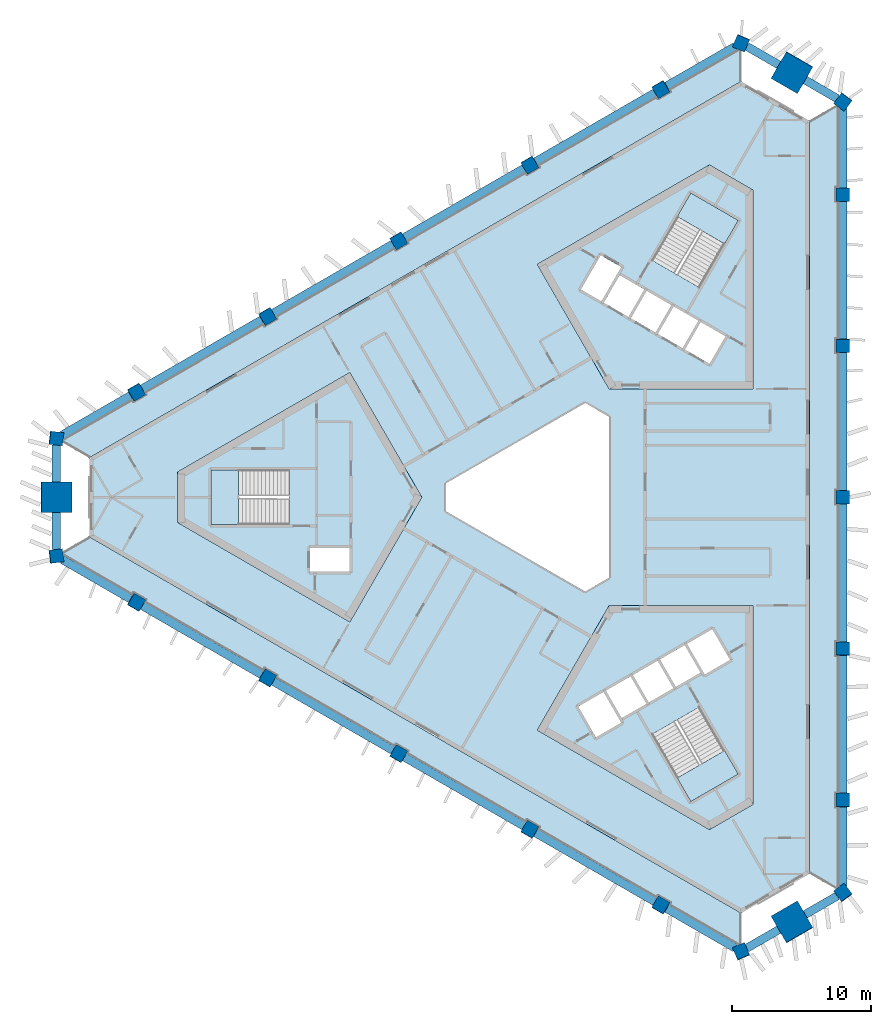
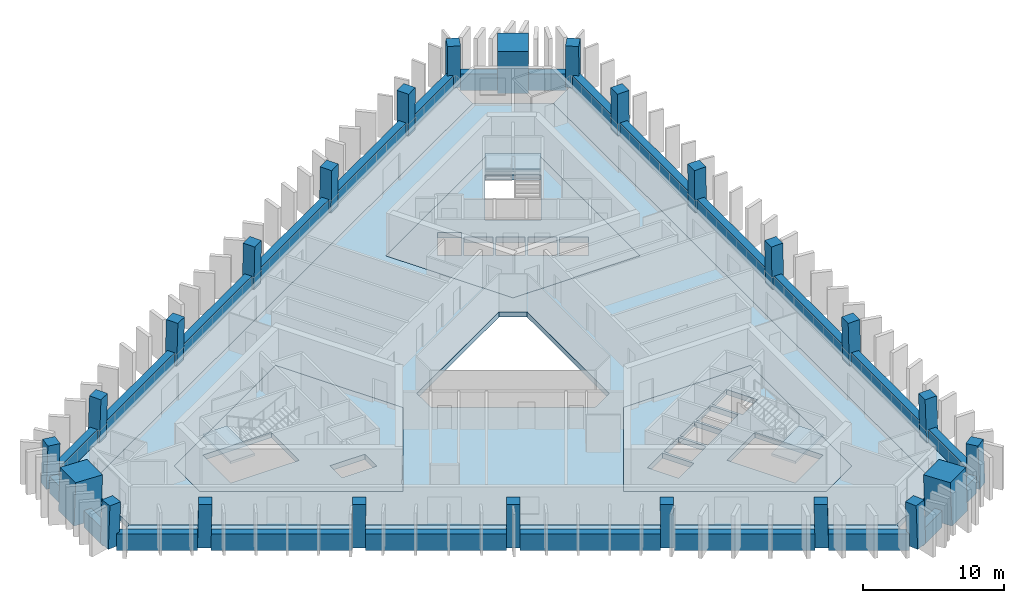
# One storey, part 1 of 10: 24 beams, 24 columns, 10 slabs, 3 elements without a shape of their own.
"""IFC4 building model written with IfcOpenShell, lengths in metres."""

from ifc_helpers import new_model, si_unit, direction, frame, origin, origin_2d, place, context, subcontext, project, spatial, polyline, rectangle, outline, extrude, material, layer, layer_set, material_profile, profile_set, type_object, element, aggregate, save


model = new_model("IFC4")

# Units and contexts
model_context = context("Model", 3, precision=1e-05, world=origin(), true_north=direction((0.0, 1.0)))
body_context = subcontext(model_context, "Body", "Model", "MODEL_VIEW")
ifc_project = project(units=[si_unit("LENGTHUNIT", "METRE"), si_unit("AREAUNIT", "SQUARE_METRE"), si_unit("VOLUMEUNIT", "CUBIC_METRE"), si_unit("PLANEANGLEUNIT", "RADIAN"), si_unit("MASSUNIT", "GRAM", prefix="KILO")], contexts=[model_context])

# Site, building, storey
site_placement = place(None, origin())
site = spatial("IfcSite", under=ifc_project, at=site_placement, CompositionType="ELEMENT")
building_placement = place(site_placement, origin())
building = spatial("IfcBuilding", under=site, at=building_placement, Name="Jabali Bay Hotel Tower and Convention Centre", CompositionType="ELEMENT")
storey_placement = place(building_placement, frame((0.0, 0.0, 163.699951171875)))
storey = spatial("IfcBuildingStorey", under=building, at=storey_placement, Name="L39", CompositionType="ELEMENT", Elevation=163.699951171875)

# Columns
ifc_material_1 = material(Name="Concrete C60", Category="concrete")
ifc_material_profile_1 = material_profile(ifc_material_1, rectangle(XDim=0.949951171875, YDim=0.949951171875, at=origin_2d()), Name="Frame column 950")
ifc_profile_set_1 = profile_set([ifc_material_profile_1], Name="Concrete C60")
column_type_1 = type_object("IfcColumnType", Name="Frame column 950", PredefinedType="COLUMN", material=ifc_profile_set_1)
column_1_placement = place(storey_placement, frame((83.228515625, 109.404541015625, 0.0), z_axis=(-0.008376454378, -0.028163354484, 0.999568237028), x_axis=(0.86585218107, 0.499844611273, 0.021339285781)))
element("IfcColumn", 1, at=column_1_placement, inside=storey, type_object=column_type_1, Name="FC4 F1.1 L39", PredefinedType="COLUMN", context=body_context, shape_type="SweptSolid", body=[
    extrude(rectangle(XDim=0.949951171875, YDim=0.949951171875, at=origin_2d()), origin(), (0.0, 0.0, 1.0), 3.70166015625),
])
column_2_placement = place(storey_placement, frame((73.776611328125, 103.947265625, 0.0), z_axis=(0.000857580205, -0.022758859284, 0.9997406158), x_axis=(0.866006049772, 0.499920354613, 0.010637706611)))
element("IfcColumn", 2, at=column_2_placement, inside=storey, type_object=column_type_1, Name="FC4 F1.2 L39", PredefinedType="COLUMN", context=body_context, shape_type="SweptSolid", body=[
    extrude(rectangle(XDim=0.949951171875, YDim=0.949951171875, at=origin_2d()), origin(), (0.0, 0.0, 1.0), 3.700927734375),
])
column_3_placement = place(storey_placement, frame((64.32470703125, 98.490234375, 0.0), z_axis=(0.010093620709, -0.017482414954, 0.999796221231), x_axis=(0.866020200589, 0.50000901209, 8.5616e-08)))
element("IfcColumn", 3, at=column_3_placement, inside=storey, type_object=column_type_1, Name="FC4 F1.3 L39", PredefinedType="COLUMN", context=body_context, shape_type="SweptSolid", body=[
    extrude(rectangle(XDim=0.949951171875, YDim=0.949951171875, at=origin_2d()), origin(), (0.0, 0.0, 1.0), 3.70068359375),
])
column_4_placement = place(storey_placement, frame((54.87255859375, 93.033203125, 0.0), z_axis=(0.019328516974, -0.012138044789, 0.999739504221), x_axis=(-0.500205614953, 0.865671455024, 0.020181048691)))
element("IfcColumn", 4, at=column_4_placement, inside=storey, type_object=column_type_1, Name="FC4 F1.4 L39", PredefinedType="COLUMN", context=body_context, shape_type="SweptSolid", body=[
    extrude(rectangle(XDim=0.949951171875, YDim=0.949951171875, at=origin_2d()), origin(), (0.0, 0.0, 1.0), 3.700927734375),
])
for number, where, z_axis, x_axis, name in (
    (5, (45.420654296875, 87.576171875, 0.0), (0.028559101991, -0.006859460986, 0.999568569678), (-0.49850746064, 0.866650252321, 0.020190389752), "FC4 F1.5 L39"),
    (6, (45.420654296875, 72.423828125, 0.0), (0.028559101991, 0.006859460986, 0.999568569678), (-0.866414848315, 0.498869008806, 0.021331260469), "FC4 F2.1 L39"),
):
    element("IfcColumn", number, at=place(storey_placement, frame(where, z_axis=z_axis, x_axis=x_axis)), inside=storey, type_object=column_type_1, Name=name, PredefinedType="COLUMN", context=body_context, shape_type="SweptSolid", body=[
        extrude(rectangle(XDim=0.949951171875, YDim=0.949951171875, at=origin_2d()), origin(), (0.0, 0.0, 1.0), 3.70166015625),
    ])
column_5_placement = place(storey_placement, frame((54.87255859375, 66.966796875, 0.0), z_axis=(0.019328516974, 0.012138044789, 0.999739504221), x_axis=(-0.865690909737, 0.500465383244, 0.010660627254)))
element("IfcColumn", 7, at=column_5_placement, inside=storey, type_object=column_type_1, Name="FC4 F2.2 L39", PredefinedType="COLUMN", context=body_context, shape_type="SweptSolid", body=[
    extrude(rectangle(XDim=0.949951171875, YDim=0.949951171875, at=origin_2d()), origin(), (0.0, 0.0, 1.0), 3.700927734375),
])
column_6_placement = place(storey_placement, frame((64.32470703125, 61.509765625, 0.0), z_axis=(0.010093620709, 0.017482414954, 0.999796221231), x_axis=(-0.499907122366, -0.865843723195, 0.020187025824)))
element("IfcColumn", 8, at=column_6_placement, inside=storey, type_object=column_type_1, Name="FC4 F2.3 L39", PredefinedType="COLUMN", context=body_context, shape_type="SweptSolid", body=[
    extrude(rectangle(XDim=0.949951171875, YDim=0.949951171875, at=origin_2d()), origin(), (0.0, 0.0, 1.0), 3.70068359375),
])
column_7_placement = place(storey_placement, frame((73.776611328125, 56.052734375, 0.0), z_axis=(0.000857580205, 0.022758859284, 0.9997406158), x_axis=(-0.500032785239, -0.865772298799, 0.020138031626)))
element("IfcColumn", 9, at=column_7_placement, inside=storey, type_object=column_type_1, Name="FC4 F2.4 L39", PredefinedType="COLUMN", context=body_context, shape_type="SweptSolid", body=[
    extrude(rectangle(XDim=0.949951171875, YDim=0.949951171875, at=origin_2d()), origin(), (0.0, 0.0, 1.0), 3.700927734375),
])
for number, where, z_axis, x_axis, name in (
    (10, (83.228515625, 50.595458984375, 0.0), (-0.008376454378, 0.028163354484, 0.999568237028), (-0.500229782748, -0.865657085713, 0.020198376324), "FC4 F2.5 L39"),
    (11, (96.350830078125, 58.171630859375, 0.0), (-0.020182659751, 0.021303918626, 0.999569308901), (0.000228267203, -0.99977282903, 0.021312865295), "FC4 F0.1 L39"),
):
    element("IfcColumn", number, at=place(storey_placement, frame(where, z_axis=z_axis, x_axis=x_axis)), inside=storey, type_object=column_type_1, Name=name, PredefinedType="COLUMN", context=body_context, shape_type="SweptSolid", body=[
        extrude(rectangle(XDim=0.949951171875, YDim=0.949951171875, at=origin_2d()), origin(), (0.0, 0.0, 1.0), 3.70166015625),
    ])
column_8_placement = place(storey_placement, frame((96.350830078125, 69.085693359375, 0.0), z_axis=(-0.020186088539, 0.010686752756, 0.999739123544), x_axis=(-0.001023376713, -0.999942568771, 0.010668264128)))
element("IfcColumn", 12, at=column_8_placement, inside=storey, type_object=column_type_1, Name="FC4 F0.2 L39", PredefinedType="COLUMN", context=body_context, shape_type="SweptSolid", body=[
    extrude(rectangle(XDim=0.949951171875, YDim=0.949951171875, at=origin_2d()), origin(), (0.0, 0.0, 1.0), 3.700927734375),
])
column_9_placement = place(storey_placement, frame((96.350830078125, 80.0, 0.0), z_axis=(-0.020187241331, 0.0, 0.99979621688), x_axis=(0.0, -1.0, 0.0)))
element("IfcColumn", 13, at=column_9_placement, inside=storey, type_object=column_type_1, Name="FC4 F0.3 L39", PredefinedType="COLUMN", context=body_context, shape_type="SweptSolid", body=[
    extrude(rectangle(XDim=0.949951171875, YDim=0.949951171875, at=origin_2d()), origin(), (0.0, 0.0, 1.0), 3.70068359375),
])
column_10_placement = place(storey_placement, frame((96.350830078125, 90.914306640625, 0.0), z_axis=(-0.020186088539, -0.010686752756, 0.999739123544), x_axis=(0.999795716399, 0.000807759214, 0.020195865801)))
element("IfcColumn", 14, at=column_10_placement, inside=storey, type_object=column_type_1, Name="FC4 F0.4 L39", PredefinedType="COLUMN", context=body_context, shape_type="SweptSolid", body=[
    extrude(rectangle(XDim=0.949951171875, YDim=0.949951171875, at=origin_2d()), origin(), (0.0, 0.0, 1.0), 3.700927734375),
])
column_11_placement = place(storey_placement, frame((96.350830078125, 101.828369140625, 0.0), z_axis=(-0.020182659751, -0.021303918626, 0.999569308901), x_axis=(0.999796283319, -0.000658319199, 0.020173211851)))
element("IfcColumn", 15, at=column_11_placement, inside=storey, type_object=column_type_1, Name="FC4 F0.5 L39", PredefinedType="COLUMN", context=body_context, shape_type="SweptSolid", body=[
    extrude(rectangle(XDim=0.949951171875, YDim=0.949951171875, at=origin_2d()), origin(), (0.0, 0.0, 1.0), 3.70166015625),
])
for number, where, z_axis, x_axis, name in (
    (16, (96.350830078125, 51.495361328125, 0.0), (-0.020178741915, 0.029015184452, 0.999375273581), (-0.800477863512, -0.599361039464, 0.001238708752), "FC4 V0 L39"),
    (17, (96.350830078125, 108.504638671875, 0.0), (-0.020178741915, -0.029015184452, 0.999375273581), (0.599022544152, 0.799952788259, 0.035320364589), "FC4 V1 L39"),
    (18, (89.01025390625, 112.74267578125, 0.0), (-0.015035141917, -0.031982648376, 0.99937533225), (0.919334641902, -0.393474626528, 0.001238739986), "FC4 V2 L39"),
    (19, (39.638916015625, 84.238037109375, 0.0), (0.03521388716, -0.002967462401, 0.999375393092), (-0.992291025765, 0.118790699873, 0.035316990383), "FC4 V3 L39"),
    (20, (39.638916015625, 75.761962890625, 0.0), (0.03521388716, 0.002967462401, 0.999375393092), (-0.118821304222, 0.99291488245, 0.001238495991), "FC4 V4 L39"),
    (21, (89.01025390625, 47.25732421875, 0.0), (-0.015035141917, 0.031982648376, 0.99937533225), (0.393189217433, -0.918778987832, 0.035318703443), "FC4 V5 L39"),
):
    element("IfcColumn", number, at=place(storey_placement, frame(where, z_axis=z_axis, x_axis=x_axis)), inside=storey, type_object=column_type_1, Name=name, PredefinedType="COLUMN", context=body_context, shape_type="SweptSolid", body=[
        extrude(rectangle(XDim=0.949951171875, YDim=0.949951171875, at=origin_2d()), origin(), (0.0, 0.0, 1.0), 3.7021484375),
    ])
ifc_material_2 = material(Name="Concrete C70", Category="concrete")
ifc_material_profile_2 = material_profile(ifc_material_2, rectangle(XDim=2.199951171875, YDim=2.199951171875, at=origin_2d()), Name="Mega column 2200")
ifc_profile_set_2 = profile_set([ifc_material_profile_2], Name="Concrete C70")
column_type_2 = type_object("IfcColumnType", Name="Mega column 2200", PredefinedType="COLUMN", material=ifc_profile_set_2)
for number, where, z_axis, x_axis, name in (
    (22, (92.680419921875, 110.62353515625, 0.0), (-0.017607037296, -0.030466109479, 0.999380712447), (0.865812389079, -0.500368770925, 1.01334e-07), "MC4 M1 L39"),
    (23, (39.638916015625, 80.0, 0.0), (0.035214042205, 0.0, 0.999379793288), (0.0, 1.0, 0.0), "MC4 M0 L39"),
    (24, (92.680419921875, 49.37646484375, 0.0), (-0.017607037296, 0.030466109479, 0.999380712447), (0.500058895686, -0.865276204028, 0.035187946645), "MC4 M2 L39"),
):
    element("IfcColumn", number, at=place(storey_placement, frame(where, z_axis=z_axis, x_axis=x_axis)), inside=storey, type_object=column_type_2, Name=name, PredefinedType="COLUMN", context=body_context, shape_type="SweptSolid", body=[
        extrude(rectangle(XDim=2.199951171875, YDim=2.199951171875, at=origin_2d()), origin(), (0.0, 0.0, 1.0), 3.7021484375),
    ])

# Beams
ifc_material_profile_3 = material_profile(ifc_material_1, rectangle(XDim=0.60009765625, YDim=1.449951171875, at=origin_2d()), Name="Spandrel 600x1450")
ifc_profile_set_3 = profile_set([ifc_material_profile_3], Name="Concrete C60")
beam_type = type_object("IfcBeamType", Name="Spandrel 600x1450", PredefinedType="SPANDREL", material=ifc_profile_set_3)
beam_1_placement = place(storey_placement, frame((91.72119140625, 111.162109375, 0.375), z_axis=(-0.865999240038, 0.500045314201, 0.0), x_axis=(-0.500045314201, -0.865999240038, 0.0)))
element("IfcBeam", 25, at=beam_1_placement, inside=storey, type_object=beam_type, Name="Spandrel M1-V2 L39", PredefinedType="SPANDREL", context=body_context, shape_type="SweptSolid", body=[
    extrude(rectangle(XDim=0.60009765625, YDim=1.449951171875, at=origin_2d()), origin(), (0.0, 0.0, 1.0), 2.661865234375),
])
beam_2_placement = place(storey_placement, frame((88.59326171875, 112.4931640625, 0.375), z_axis=(-0.866013677614, -0.500020309772, 0.0), x_axis=(0.500020309772, -0.866013677614, 0.0)))
element("IfcBeam", 26, at=beam_2_placement, inside=storey, type_object=beam_type, Name="Spandrel V2-F1.1 L39", PredefinedType="SPANDREL", context=body_context, shape_type="SweptSolid", body=[
    extrude(rectangle(XDim=0.60009765625, YDim=1.449951171875, at=origin_2d()), origin(), (0.0, 0.0, 1.0), 5.723388671875),
])
for number, where, z_axis, x_axis, name in (
    (27, (82.81396484375, 109.156494140625, 0.375), (-0.866018635913, -0.500011722114, 0.0), (0.500011722114, -0.866018635913, 0.0), "Spandrel F1.1-F1.2 L39"),
    (28, (73.365478515625, 103.701416015625, 0.375), (-0.866018635913, -0.500011722114, 0.0), (0.500011722114, -0.866018635913, 0.0), "Spandrel F1.2-F1.3 L39"),
    (29, (63.9169921875, 98.246337890625, 0.375), (-0.866018635913, -0.500011722114, 0.0), (0.500011722114, -0.866018635913, 0.0), "Spandrel F1.3-F1.4 L39"),
    (30, (54.468505859375, 92.791015625, 0.375), (-0.86602924984, -0.499993338378, 0.0), (0.499993338378, -0.86602924984, 0.0), "Spandrel F1.4-F1.5 L39"),
):
    element("IfcBeam", number, at=place(storey_placement, frame(where, z_axis=z_axis, x_axis=x_axis)), inside=storey, type_object=beam_type, Name=name, PredefinedType="SPANDREL", context=body_context, shape_type="SweptSolid", body=[
        extrude(rectangle(XDim=0.60009765625, YDim=1.449951171875, at=origin_2d()), origin(), (0.0, 0.0, 1.0), 9.960205078125),
    ])
beam_3_placement = place(storey_placement, frame((45.02001953125, 87.3359375, 0.375), z_axis=(-0.866032148754, -0.499988317188, 0.0), x_axis=(0.499988317188, -0.866032148754, 0.0)))
element("IfcBeam", 31, at=beam_3_placement, inside=storey, type_object=beam_type, Name="Spandrel F1.5-V3 L39", PredefinedType="SPANDREL", context=body_context, shape_type="SweptSolid", body=[
    extrude(rectangle(XDim=0.60009765625, YDim=1.449951171875, at=origin_2d()), origin(), (0.0, 0.0, 1.0), 5.723388671875),
])
for number, where, z_axis, x_axis, name in (
    (32, (39.652099609375, 83.761962890625, 0.375), (0.0, -1.0, 0.0), (1.0, 0.0, 0.0), "Spandrel V3-M0 L39"),
    (33, (39.652099609375, 78.89990234375, 0.375), (0.0, -1.0, 0.0), (1.0, 0.0, 0.0), "Spandrel M0-V4 L39"),
):
    element("IfcBeam", number, at=place(storey_placement, frame(where, z_axis=z_axis, x_axis=x_axis)), inside=storey, type_object=beam_type, Name=name, PredefinedType="SPANDREL", context=body_context, shape_type="SweptSolid", body=[
        extrude(rectangle(XDim=0.60009765625, YDim=1.449951171875, at=origin_2d()), origin(), (0.0, 0.0, 1.0), 2.661865234375),
    ])
beam_4_placement = place(storey_placement, frame((40.0634765625, 75.525634765625, 0.375), z_axis=(0.866032148754, -0.499988317188, 0.0), x_axis=(0.499988317188, 0.866032148754, 0.0)))
element("IfcBeam", 34, at=beam_4_placement, inside=storey, type_object=beam_type, Name="Spandrel V4-F2.1 L39", PredefinedType="SPANDREL", context=body_context, shape_type="SweptSolid", body=[
    extrude(rectangle(XDim=0.60009765625, YDim=1.449951171875, at=origin_2d()), origin(), (0.0, 0.0, 1.0), 5.723388671875),
])
for number, where, z_axis, x_axis, name in (
    (35, (45.8427734375, 72.18896484375, 0.375), (0.86602924984, -0.499993338378, 0.0), (0.499993338378, 0.86602924984, 0.0), "Spandrel F2.1-F2.2 L39"),
    (36, (55.291259765625, 66.73388671875, 0.375), (0.866018635913, -0.500011722114, 0.0), (0.500011722114, 0.866018635913, 0.0), "Spandrel F2.2-F2.3 L39"),
    (37, (64.73974609375, 61.27880859375, 0.375), (0.866018635913, -0.500011722114, 0.0), (0.500011722114, 0.866018635913, 0.0), "Spandrel F2.3-F2.4 L39"),
    (38, (74.188232421875, 55.82373046875, 0.375), (0.866018635913, -0.500011722114, 0.0), (0.500011722114, 0.866018635913, 0.0), "Spandrel F2.4-F2.5 L39"),
):
    element("IfcBeam", number, at=place(storey_placement, frame(where, z_axis=z_axis, x_axis=x_axis)), inside=storey, type_object=beam_type, Name=name, PredefinedType="SPANDREL", context=body_context, shape_type="SweptSolid", body=[
        extrude(rectangle(XDim=0.60009765625, YDim=1.449951171875, at=origin_2d()), origin(), (0.0, 0.0, 1.0), 9.960205078125),
    ])
beam_5_placement = place(storey_placement, frame((83.63671875, 50.36865234375, 0.375), z_axis=(0.866013677614, -0.500020309772, 0.0), x_axis=(0.500020309772, 0.866013677614, 0.0)))
element("IfcBeam", 39, at=beam_5_placement, inside=storey, type_object=beam_type, Name="Spandrel F2.5-V5 L39", PredefinedType="SPANDREL", context=body_context, shape_type="SweptSolid", body=[
    extrude(rectangle(XDim=0.60009765625, YDim=1.449951171875, at=origin_2d()), origin(), (0.0, 0.0, 1.0), 5.723388671875),
])
for number, where, z_axis, x_axis, name in (
    (40, (89.416015625, 47.5068359375, 0.375), (0.865999240038, 0.500045314201, 0.0), (-0.500045314201, 0.865999240038, 0.0), "Spandrel V5-M2 L39"),
    (41, (93.62646484375, 49.93798828125, 0.375), (0.866061882099, 0.499936812382, 0.0), (-0.499936812382, 0.866061882099, 0.0), "Spandrel M2-V0 L39"),
):
    element("IfcBeam", number, at=place(storey_placement, frame(where, z_axis=z_axis, x_axis=x_axis)), inside=storey, type_object=beam_type, Name=name, PredefinedType="SPANDREL", context=body_context, shape_type="SweptSolid", body=[
        extrude(rectangle(XDim=0.60009765625, YDim=1.449951171875, at=origin_2d()), origin(), (0.0, 0.0, 1.0), 2.661865234375),
    ])
beam_6_placement = place(storey_placement, frame((96.34326171875, 51.9814453125, 0.375), z_axis=(0.0, 1.0, 0.0), x_axis=(-1.0, 0.0, 0.0)))
element("IfcBeam", 42, at=beam_6_placement, inside=storey, type_object=beam_type, Name="Spandrel V0-F0.1 L39", PredefinedType="SPANDREL", context=body_context, shape_type="SweptSolid", body=[
    extrude(rectangle(XDim=0.60009765625, YDim=1.449951171875, at=origin_2d()), origin(), (0.0, 0.0, 1.0), 5.72314453125),
])
for number, where, z_axis, x_axis, name in (
    (43, (96.34326171875, 58.654541015625, 0.375), (0.0, 1.0, 0.0), (-1.0, 0.0, 0.0), "Spandrel F0.1-F0.2 L39"),
    (44, (96.34326171875, 69.564697265625, 0.375), (0.0, 1.0, 0.0), (-1.0, 0.0, 0.0), "Spandrel F0.2-F0.3 L39"),
    (45, (96.34326171875, 80.47509765625, 0.375), (0.0, 1.0, 0.0), (-1.0, 0.0, 0.0), "Spandrel F0.3-F0.4 L39"),
    (46, (96.34326171875, 91.38525390625, 0.375), (0.0, 1.0, 0.0), (-1.0, 0.0, 0.0), "Spandrel F0.4-F0.5 L39"),
):
    element("IfcBeam", number, at=place(storey_placement, frame(where, z_axis=z_axis, x_axis=x_axis)), inside=storey, type_object=beam_type, Name=name, PredefinedType="SPANDREL", context=body_context, shape_type="SweptSolid", body=[
        extrude(rectangle(XDim=0.60009765625, YDim=1.449951171875, at=origin_2d()), origin(), (0.0, 0.0, 1.0), 9.960205078125),
    ])
beam_7_placement = place(storey_placement, frame((96.34326171875, 102.29541015625, 0.375), z_axis=(0.0, 1.0, 0.0), x_axis=(-1.0, 0.0, 0.0)))
element("IfcBeam", 47, at=beam_7_placement, inside=storey, type_object=beam_type, Name="Spandrel F0.5-V1 L39", PredefinedType="SPANDREL", context=body_context, shape_type="SweptSolid", body=[
    extrude(rectangle(XDim=0.60009765625, YDim=1.449951171875, at=origin_2d()), origin(), (0.0, 0.0, 1.0), 5.72314453125),
])
beam_8_placement = place(storey_placement, frame((95.931884765625, 108.731201171875, 0.375), z_axis=(-0.866061882099, 0.499936812382, 0.0), x_axis=(-0.499936812382, -0.866061882099, 0.0)))
element("IfcBeam", 48, at=beam_8_placement, inside=storey, type_object=beam_type, Name="Spandrel V1-M1 L39", PredefinedType="SPANDREL", context=body_context, shape_type="SweptSolid", body=[
    extrude(rectangle(XDim=0.60009765625, YDim=1.449951171875, at=origin_2d()), origin(), (0.0, 0.0, 1.0), 2.661865234375),
])

# Slabs
ifc_material_3 = material(Name="Concrete C40", Category="concrete")
ifc_layer_1 = layer(ifc_material_3, 0.449951171875)
ifc_layer_set_1 = layer_set([ifc_layer_1], Name="Concrete C40")
slab_type_1 = type_object("IfcSlabType", Name="Core floor slab 450", PredefinedType="FLOOR", material=ifc_layer_set_1)
slab_1_placement = place(storey_placement, frame((0.0, 0.0, -0.449951171875)))
element("IfcSlab", 49, at=slab_1_placement, inside=storey, type_object=slab_type_1, Name="Core floor slab 1 L39", PredefinedType="FLOOR", context=body_context, shape_type="SweptSolid", body=[
    extrude(outline(polyline([(66.0, 80.0), (60.81005859375, 88.9892578125), (48.39697265625, 81.82275390625), (48.39697265625, 78.17724609375), (60.81005859375, 71.0107421875), (66.0, 80.0)]), holes=[polyline([(60.800048828125, 76.35009765625), (57.949951171875, 76.35009765625), (57.949951171875, 74.64990234375), (60.800048828125, 74.64990234375), (60.800048828125, 76.35009765625)]), polyline([(50.820068359375, 81.97509765625), (50.820068359375, 78.02490234375), (56.409912109375, 78.02490234375), (56.409912109375, 81.97509765625), (50.820068359375, 81.97509765625)])]), origin(), (0.0, 0.0, 1.0), 0.449951171875),
])
slab_2_placement = place(storey_placement, frame((0.0, 0.0, -0.449951171875)))
element("IfcSlab", 50, at=slab_2_placement, inside=storey, type_object=slab_type_1, Name="Core floor slab 2 L39", PredefinedType="FLOOR", context=body_context, shape_type="SweptSolid", body=[
    extrude(outline(polyline([(79.5, 87.794189453125), (89.8798828125, 87.794189453125), (89.8798828125, 102.127685546875), (86.72314453125, 103.9501953125), (74.31005859375, 96.78369140625), (79.5, 87.794189453125)]), holes=[polyline([(84.957763671875, 90.6474609375), (86.733154296875, 89.62255859375), (87.873291015625, 91.59716796875), (86.097900390625, 92.6220703125), (84.957763671875, 90.6474609375)]), polyline([(84.1494140625, 93.7470703125), (83.00927734375, 91.7724609375), (84.78466796875, 90.74755859375), (85.924560546875, 92.72216796875), (84.1494140625, 93.7470703125)]), polyline([(82.20068359375, 94.8720703125), (81.060791015625, 92.8974609375), (82.836181640625, 91.87255859375), (83.97607421875, 93.84716796875), (82.20068359375, 94.8720703125)]), polyline([(79.1123046875, 94.0224609375), (80.887451171875, 92.99755859375), (82.027587890625, 94.97216796875), (80.252197265625, 95.9970703125), (79.1123046875, 94.0224609375)]), polyline([(78.891845703125, 97.440673828125), (77.466796875, 94.97265625), (78.93896484375, 94.12255859375), (80.364013671875, 96.5908203125), (78.891845703125, 97.440673828125)]), polyline([(82.584716796875, 97.0869140625), (86.00537109375, 95.11181640625), (88.80029296875, 99.952880859375), (85.379638671875, 101.927978515625), (82.584716796875, 97.0869140625)])]), origin(), (0.0, 0.0, 1.0), 0.449951171875),
])
slab_3_placement = place(storey_placement, frame((0.0, 0.0, -0.449951171875)))
element("IfcSlab", 51, at=slab_3_placement, inside=storey, type_object=slab_type_1, Name="Core floor slab 3 L39", PredefinedType="FLOOR", context=body_context, shape_type="SweptSolid", body=[
    extrude(outline(polyline([(79.5, 72.205810546875), (74.31005859375, 63.21630859375), (86.72314453125, 56.0498046875), (89.8798828125, 57.872314453125), (89.8798828125, 72.205810546875), (79.5, 72.205810546875)]), holes=[polyline([(82.584716796875, 62.9130859375), (85.379638671875, 58.072021484375), (88.80029296875, 60.047119140625), (86.00537109375, 64.88818359375), (82.584716796875, 62.9130859375)]), polyline([(80.365478515625, 63.756591796875), (79.090576171875, 65.96484375), (77.27197265625, 64.9150390625), (78.546875, 62.70654296875), (80.365478515625, 63.756591796875)]), polyline([(82.17919921875, 65.115478515625), (81.0390625, 67.08984375), (79.263671875, 66.06494140625), (80.40380859375, 64.09033203125), (82.17919921875, 65.115478515625)]), polyline([(82.98779296875, 68.21484375), (81.21240234375, 67.18994140625), (82.352294921875, 65.21533203125), (84.127685546875, 66.240478515625), (82.98779296875, 68.21484375)]), polyline([(86.076171875, 67.365478515625), (84.936279296875, 69.33984375), (83.160888671875, 68.31494140625), (84.30078125, 66.34033203125), (86.076171875, 67.365478515625)]), polyline([(88.203125, 68.281494140625), (86.927978515625, 70.489990234375), (85.109375, 69.43994140625), (86.384521484375, 67.231689453125), (88.203125, 68.281494140625)])]), origin(), (0.0, 0.0, 1.0), 0.449951171875),
])
ifc_layer_2 = layer(ifc_material_3, 0.199951171875)
ifc_layer_set_2 = layer_set([ifc_layer_2], Name="Concrete C40")
slab_type_2 = type_object("IfcSlabType", Name="Loggia slab 200", PredefinedType="FLOOR", material=ifc_layer_set_2)
slab_4_placement = place(storey_placement, frame((0.0, 0.0, -0.199951171875)))
element("IfcSlab", 52, at=slab_4_placement, inside=storey, type_object=slab_type_2, Name="Loggia slab east face L39", PredefinedType="FLOOR", context=body_context, shape_type="SweptSolid", body=[
    extrude(outline(polyline([(93.95068359375, 107.118896484375), (95.9033203125, 108.246337890625), (96.05078125, 108.1357421875), (96.05078125, 102.303466796875), (95.875732421875, 102.303466796875), (95.875732421875, 101.353271484375), (96.05078125, 101.353271484375), (96.05078125, 91.38916015625), (95.875732421875, 91.38916015625), (95.875732421875, 90.439208984375), (96.05078125, 90.439208984375), (96.05078125, 80.47509765625), (95.875732421875, 80.47509765625), (95.875732421875, 79.52490234375), (96.05078125, 79.52490234375), (96.05078125, 69.560791015625), (95.875732421875, 69.560791015625), (95.875732421875, 68.61083984375), (96.05078125, 68.61083984375), (96.05078125, 58.646728515625), (95.875732421875, 58.646728515625), (95.875732421875, 57.696533203125), (96.05078125, 57.696533203125), (96.05078125, 51.8642578125), (95.9033203125, 51.753662109375), (93.95068359375, 52.881103515625), (93.95068359375, 107.118896484375)])), origin(), (0.0, 0.0, 1.0), 0.199951171875),
])
slab_5_placement = place(storey_placement, frame((0.0, 0.0, -0.199951171875)))
element("IfcSlab", 53, at=slab_5_placement, inside=storey, type_object=slab_type_2, Name="Loggia slab north-west face L39", PredefinedType="FLOOR", context=body_context, shape_type="SweptSolid", body=[
    extrude(outline(polyline([(42.0390625, 82.852294921875), (40.08642578125, 83.979736328125), (40.1083984375, 84.16259765625), (45.159423828125, 87.078857421875), (45.246826171875, 86.92724609375), (46.069580078125, 87.40234375), (45.982177734375, 87.5537109375), (54.611328125, 92.535888671875), (54.69873046875, 92.38427734375), (55.521484375, 92.859375), (55.43408203125, 93.010986328125), (64.063232421875, 97.992919921875), (64.15087890625, 97.84130859375), (64.973388671875, 98.31640625), (64.885986328125, 98.468017578125), (73.51513671875, 103.449951171875), (73.602783203125, 103.298583984375), (74.425537109375, 103.7734375), (74.337890625, 103.925048828125), (82.96728515625, 108.9072265625), (83.0546875, 108.755615234375), (83.87744140625, 109.230712890625), (83.7900390625, 109.382080078125), (88.841064453125, 112.29833984375), (89.01025390625, 112.225830078125), (89.01025390625, 109.97119140625), (42.0390625, 82.852294921875)])), origin(), (0.0, 0.0, 1.0), 0.199951171875),
])
slab_6_placement = place(storey_placement, frame((0.0, 0.0, -0.199951171875)))
element("IfcSlab", 54, at=slab_6_placement, inside=storey, type_object=slab_type_2, Name="Loggia slab south-west face L39", PredefinedType="FLOOR", context=body_context, shape_type="SweptSolid", body=[
    extrude(outline(polyline([(89.01025390625, 50.02880859375), (89.01025390625, 47.774169921875), (88.841064453125, 47.70166015625), (83.7900390625, 50.617919921875), (83.87744140625, 50.769287109375), (83.0546875, 51.244384765625), (82.96728515625, 51.0927734375), (74.337890625, 56.074951171875), (74.425537109375, 56.2265625), (73.602783203125, 56.701416015625), (73.51513671875, 56.550048828125), (64.885986328125, 61.531982421875), (64.973388671875, 61.68359375), (64.15087890625, 62.15869140625), (64.063232421875, 62.007080078125), (55.43408203125, 66.989013671875), (55.521484375, 67.140625), (54.69873046875, 67.61572265625), (54.611328125, 67.464111328125), (45.982177734375, 72.4462890625), (46.069580078125, 72.59765625), (45.246826171875, 73.07275390625), (45.159423828125, 72.921142578125), (40.1083984375, 75.83740234375), (40.08642578125, 76.020263671875), (42.0390625, 77.147705078125), (89.01025390625, 50.02880859375)])), origin(), (0.0, 0.0, 1.0), 0.199951171875),
])
ifc_layer_3 = layer(ifc_material_3, 0.449951171875)
ifc_layer_set_3 = layer_set([ifc_layer_3], Name="Concrete C40")
slab_type_3 = type_object("IfcSlabType", Name="Post-tensioned flat slab 450", PredefinedType="FLOOR", material=ifc_layer_set_3)
slab_7_placement = place(storey_placement, frame((0.0, 0.0, -0.449951171875)))
element("IfcSlab", 55, at=slab_7_placement, inside=storey, type_object=slab_type_3, Name="Floor slab L39", PredefinedType="FLOOR", context=body_context, shape_type="SweptSolid", body=[
    extrude(outline(polyline([(89.01025390625, 109.97119140625), (93.95068359375, 107.118896484375), (93.95068359375, 52.881103515625), (89.01025390625, 50.02880859375), (42.0390625, 77.147705078125), (42.0390625, 82.852294921875), (89.01025390625, 109.97119140625)]), holes=[polyline([(67.73193359375, 79.0), (77.76806640625, 73.205810546875), (79.5, 74.205810546875), (79.5, 85.794189453125), (77.76806640625, 86.794189453125), (67.73193359375, 81.0), (67.73193359375, 79.0)]), polyline([(48.39697265625, 78.17724609375), (60.81005859375, 71.0107421875), (66.0, 80.0), (60.81005859375, 88.9892578125), (48.39697265625, 81.82275390625), (48.39697265625, 78.17724609375)]), polyline([(89.8798828125, 102.127685546875), (86.72314453125, 103.9501953125), (74.31005859375, 96.78369140625), (79.5, 87.794189453125), (89.8798828125, 87.794189453125), (89.8798828125, 102.127685546875)]), polyline([(74.31005859375, 63.21630859375), (86.72314453125, 56.0498046875), (89.8798828125, 57.872314453125), (89.8798828125, 72.205810546875), (79.5, 72.205810546875), (74.31005859375, 63.21630859375)])]), origin(), (0.0, 0.0, 1.0), 0.449951171875),
])

# Stair, slab
stair_type = type_object("IfcStairType", Name="Exit stair 1900", PredefinedType="HALF_TURN_STAIR", material=ifc_material_3)
stair_1_placement = place(storey_placement, origin())
stair_1 = element("IfcStair", 56, at=stair_1_placement, inside=storey, type_object=stair_type, Name="L39 Exit Stair 1", PredefinedType="HALF_TURN_STAIR")
ifc_layer_4 = layer(ifc_material_3, 0.199951171875)
ifc_layer_set_4 = layer_set([ifc_layer_4], Name="Concrete C40")
slab_type_4 = type_object("IfcSlabType", Name="Stair landing 200", PredefinedType="LANDING", material=ifc_layer_set_4)
slab_8_placement = place(storey_placement, frame((0.0, 0.0, 1.650146484375)))
slab_8 = element("IfcSlab", 57, at=slab_8_placement, type_object=slab_type_4, Name="ST1 landing 1", PredefinedType="LANDING", context=body_context, shape_type="SweptSolid", body=[
    extrude(outline(polyline([(52.782958984375, 81.97509765625), (50.820068359375, 81.97509765625), (50.820068359375, 78.02490234375), (52.782958984375, 78.02490234375), (52.782958984375, 81.97509765625)])), origin(), (0.0, 0.0, 1.0), 0.199951171875),
])
aggregate(stair_1, [slab_8])

stair_2_placement = place(storey_placement, origin())
stair_2 = element("IfcStair", 58, at=stair_2_placement, inside=storey, type_object=stair_type, Name="L39 Exit Stair 2", PredefinedType="HALF_TURN_STAIR")
slab_9_placement = place(storey_placement, frame((0.0, 0.0, 1.650146484375)))
slab_9 = element("IfcSlab", 59, at=slab_9_placement, type_object=slab_type_4, Name="ST2 landing 1", PredefinedType="LANDING", context=body_context, shape_type="SweptSolid", body=[
    extrude(outline(polyline([(87.81884765625, 98.2529296875), (88.80029296875, 99.952880859375), (85.379638671875, 101.927978515625), (84.398193359375, 100.22802734375), (87.81884765625, 98.2529296875)])), origin(), (0.0, 0.0, 1.0), 0.199951171875),
])
aggregate(stair_2, [slab_9])

stair_3_placement = place(storey_placement, origin())
stair_3 = element("IfcStair", 60, at=stair_3_placement, inside=storey, type_object=stair_type, Name="L39 Exit Stair 3", PredefinedType="HALF_TURN_STAIR")
slab_10_placement = place(storey_placement, frame((0.0, 0.0, 1.650146484375)))
slab_10 = element("IfcSlab", 61, at=slab_10_placement, type_object=slab_type_4, Name="ST3 landing 1", PredefinedType="LANDING", context=body_context, shape_type="SweptSolid", body=[
    extrude(outline(polyline([(84.398193359375, 59.77197265625), (85.379638671875, 58.072021484375), (88.80029296875, 60.047119140625), (87.81884765625, 61.7470703125), (84.398193359375, 59.77197265625)])), origin(), (0.0, 0.0, 1.0), 0.199951171875),
])
aggregate(stair_3, [slab_10])

save(model, "model.ifc")
